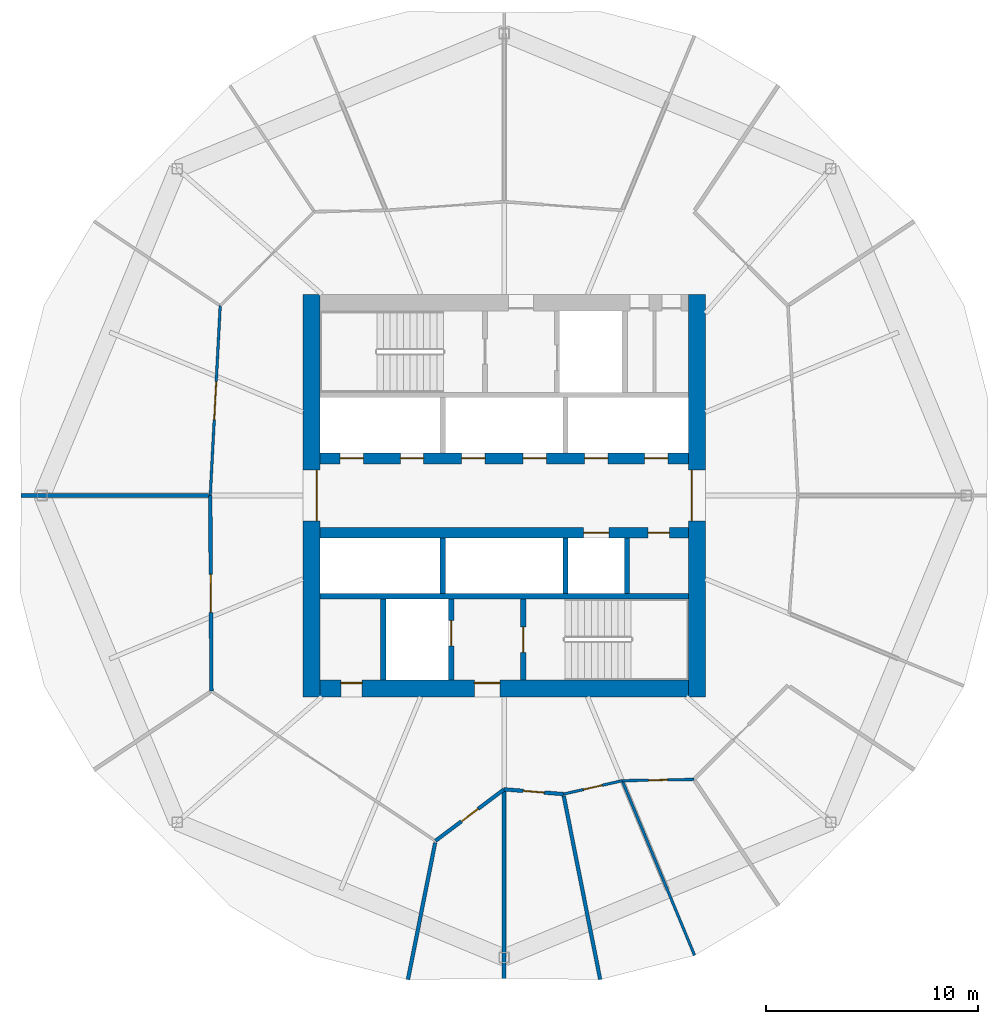
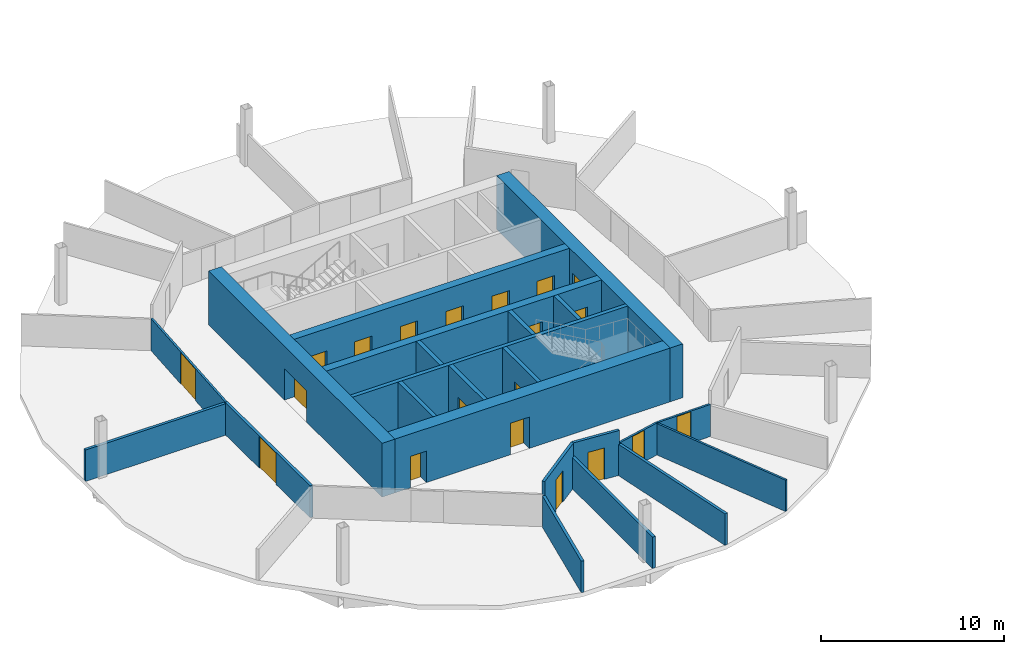
# One storey, part 4 of 9: 23 walls, 20 doors, 20 openings.
"""IFC4 building model written with IfcOpenShell, lengths in metres."""

from ifc_helpers import new_model, si_unit, direction, frame, frame_2d, origin, place, context, subcontext, project, spatial, rectangle, extrude, material, layer, layer_set, type_object, element, fill, save


model = new_model("IFC4")

# Units and contexts
model_context = context("Model", 3, precision=1e-05, world=origin(), true_north=direction((0.0, 1.0)))
body_context = subcontext(model_context, "Body", "Model", "MODEL_VIEW")
ifc_project = project(units=[si_unit("LENGTHUNIT", "METRE"), si_unit("AREAUNIT", "SQUARE_METRE"), si_unit("VOLUMEUNIT", "CUBIC_METRE"), si_unit("PLANEANGLEUNIT", "RADIAN"), si_unit("MASSUNIT", "GRAM", prefix="KILO")], contexts=[model_context])

# Site, building, storey
site_placement = place(None, origin())
site = spatial("IfcSite", under=ifc_project, at=site_placement, CompositionType="ELEMENT")
building_placement = place(site_placement, origin())
building = spatial("IfcBuilding", under=site, at=building_placement, Name="Ogive Gate Towers", CompositionType="ELEMENT")
storey_placement = place(building_placement, frame((0.0, 0.0, 48.0)))
storey = spatial("IfcBuildingStorey", under=building, at=storey_placement, Name="L10", CompositionType="ELEMENT", Elevation=48.0)

# Walls
ifc_material_1 = material(Name="Gypsum board acoustic partition")
ifc_layer_1 = layer(ifc_material_1, 0.175048828125)
ifc_layer_set_1 = layer_set([ifc_layer_1], Name="Acoustic partition 175")
wall_type_1 = type_object("IfcWallType", Name="Acoustic partition 175", PredefinedType="PARTITIONING", material=ifc_layer_set_1)
wall_1_placement = place(storey_placement, frame((-58.799072265625, 0.0, 0.0), z_axis=(0.0, 0.0, 1.0), x_axis=(1.0, 0.0, 0.0)))
element("IfcWall", 1, at=wall_1_placement, inside=storey, type_object=wall_type_1, Name="Partition T1-L10-009", PredefinedType="PARTITIONING", context=body_context, shape_type="SweptSolid", body=[
    extrude(rectangle(XDim=8.841552734375, YDim=0.175048828125, at=frame_2d((4.4208984375, 0.0))), origin(), (0.0, 0.0, 1.0), 2.10009765625),
])
wall_2_placement = place(storey_placement, frame((-40.5380859375, -22.853271484375, 0.0), z_axis=(0.0, 0.0, 1.0), x_axis=(0.194791079336, 0.98084475602, 0.0)))
element("IfcWall", 2, at=wall_2_placement, inside=storey, type_object=wall_type_1, Name="Partition T1-L10-011", PredefinedType="PARTITIONING", context=body_context, shape_type="SweptSolid", body=[
    extrude(rectangle(XDim=6.59130859375, YDim=0.175048828125, at=frame_2d((3.295654296875, 0.0))), origin(), (0.0, 0.0, 1.0), 2.10009765625),
])
for number, where, z_axis, x_axis, name in (
    (3, (-36.0, -22.799072265625, 0.0), (0.0, 0.0, 1.0), (0.0, 1.0, 0.0), "Partition T1-L10-012"),
    (4, (-31.4619140625, -22.853271484375, 0.0), (0.0, 0.0, 1.0), (-0.194783088944, 0.980846342839, 0.0), "Partition T1-L10-013"),
):
    element("IfcWall", number, at=place(storey_placement, frame(where, z_axis=z_axis, x_axis=x_axis)), inside=storey, type_object=wall_type_1, Name=name, PredefinedType="PARTITIONING", context=body_context, shape_type="SweptSolid", body=[
        extrude(rectangle(XDim=8.841552734375, YDim=0.175048828125, at=frame_2d((4.4208984375, 0.0))), origin(), (0.0, 0.0, 1.0), 2.10009765625),
    ])

# Wall, opening, door
wall_3_placement = place(storey_placement, frame((-49.8701171875, 0.0, 0.0), z_axis=(0.0, 0.0, 1.0), x_axis=(0.005813701595, -0.999983100294, 0.0)))
wall_3 = element("IfcWall", 5, at=wall_3_placement, inside=storey, type_object=wall_type_1, Name="Partition T1-L10-023", PredefinedType="PARTITIONING", context=body_context, shape_type="SweptSolid", body=[
    extrude(rectangle(XDim=9.23876953125, YDim=0.175048828125, at=frame_2d((4.619384765625, 0.0))), origin(), (0.0, 0.0, 1.0), 2.139892578125),
])
opening_1_placement = place(wall_3_placement, frame((3.718994140625, 0.0, 0.0)))
opening_1 = element("IfcOpeningElement", 6, at=opening_1_placement, cuts=wall_3, Name="Opening T1-L10-D06", PredefinedType="OPENING", context=body_context, shape_type="SweptSolid", body=[
    extrude(rectangle(XDim=1.800048828125, YDim=2.10009765625, at=frame_2d((0.89990234375, 1.050048828125))), frame((0.0, 0.09765625, 0.0), z_axis=(0.0, -1.0, 0.0), x_axis=(1.0, 0.0, 0.0)), (0.0, 0.0, 1.0), 0.195068359375),
])
ifc_material_2 = material(Name="Timber door", Category="wood")
door_type_1 = type_object("IfcDoorType", Name="Door pair 1800", OperationType="NOTDEFINED", PredefinedType="DOOR", material=ifc_material_2)
door_1_placement = place(opening_1_placement, origin())
door_1 = element("IfcDoor", 7, at=door_1_placement, inside=storey, type_object=door_type_1, Name="Door T1-L10-D06", OperationType="DOUBLE_DOOR_DOUBLE_SWING", OverallHeight=2.10009765625, OverallWidth=1.800048828125, PredefinedType="DOOR", context=body_context, shape_type="SweptSolid", body=[
    extrude(rectangle(XDim=1.800048828125, YDim=2.10009765625, at=frame_2d((0.89990234375, 1.050048828125))), frame((0.0, 0.02490234375, 0.0), z_axis=(0.0, -1.0, 0.0), x_axis=(1.0, 0.0, 0.0)), (0.0, 0.0, 1.0), 0.050048828125),
])
fill(opening_1, door_1)

wall_4_placement = place(storey_placement, frame((-39.2373046875, -16.30224609375, 0.0), z_axis=(0.0, 0.0, 1.0), x_axis=(0.79950772628, 0.600655804616, 0.0)))
wall_4 = element("IfcWall", 8, at=wall_4_placement, inside=storey, type_object=wall_type_1, Name="Partition T1-L10-025", PredefinedType="PARTITIONING", context=body_context, shape_type="SweptSolid", body=[
    extrude(rectangle(XDim=4.049072265625, YDim=0.175048828125, at=frame_2d((2.0244140625, 0.0))), origin(), (0.0, 0.0, 1.0), 3.0),
])
opening_2_placement = place(wall_4_placement, frame((1.52490234375, 0.0, 0.0)))
opening_2 = element("IfcOpeningElement", 9, at=opening_2_placement, cuts=wall_4, Name="Opening T1-L10-D08", PredefinedType="OPENING", context=body_context, shape_type="SweptSolid", body=[
    extrude(rectangle(XDim=1.0, YDim=2.10009765625, at=frame_2d((0.5, 1.050048828125))), frame((0.0, 0.09765625, 0.0), z_axis=(0.0, -1.0, 0.0), x_axis=(1.0, 0.0, 0.0)), (0.0, 0.0, 1.0), 0.195068359375),
])
door_type_2 = type_object("IfcDoorType", Name="Door 1000", OperationType="NOTDEFINED", PredefinedType="DOOR", material=ifc_material_2)
door_2_placement = place(opening_2_placement, origin())
door_2 = element("IfcDoor", 10, at=door_2_placement, inside=storey, type_object=door_type_2, Name="Door T1-L10-D08", OperationType="SINGLE_SWING_RIGHT", OverallHeight=2.10009765625, OverallWidth=1.0, PredefinedType="DOOR", context=body_context, shape_type="SweptSolid", body=[
    extrude(rectangle(XDim=1.0, YDim=2.10009765625, at=frame_2d((0.5, 1.050048828125))), frame((0.0, 0.02490234375, 0.0), z_axis=(0.0, -1.0, 0.0), x_axis=(1.0, 0.0, 0.0)), (0.0, 0.0, 1.0), 0.050048828125),
])
fill(opening_2, door_2)

wall_5_placement = place(storey_placement, frame((-36.0, -13.8701171875, 0.0), z_axis=(0.0, 0.0, 1.0), x_axis=(0.996781460413, -0.080166827155, 0.0)))
wall_5 = element("IfcWall", 11, at=wall_5_placement, inside=storey, type_object=wall_type_1, Name="Partition T1-L10-026", PredefinedType="PARTITIONING", context=body_context, shape_type="SweptSolid", body=[
    extrude(rectangle(XDim=2.807861328125, YDim=0.175048828125, at=frame_2d((1.40380859375, 0.0))), origin(), (0.0, 0.0, 1.0), 3.0),
])
opening_3_placement = place(wall_5_placement, frame((0.904052734375, 0.0, 0.0)))
opening_3 = element("IfcOpeningElement", 12, at=opening_3_placement, cuts=wall_5, Name="Opening T1-L10-D09", PredefinedType="OPENING", context=body_context, shape_type="SweptSolid", body=[
    extrude(rectangle(XDim=1.0, YDim=2.10009765625, at=frame_2d((0.5, 1.050048828125))), frame((0.0, 0.09765625, 0.0), z_axis=(0.0, -1.0, 0.0), x_axis=(1.0, 0.0, 0.0)), (0.0, 0.0, 1.0), 0.195068359375),
])
door_3_placement = place(opening_3_placement, origin())
door_3 = element("IfcDoor", 13, at=door_3_placement, inside=storey, type_object=door_type_2, Name="Door T1-L10-D09", OperationType="SINGLE_SWING_LEFT", OverallHeight=2.10009765625, OverallWidth=1.0, PredefinedType="DOOR", context=body_context, shape_type="SweptSolid", body=[
    extrude(rectangle(XDim=1.0, YDim=2.10009765625, at=frame_2d((0.5, 1.050048828125))), frame((0.0, 0.02490234375, 0.0), z_axis=(0.0, -1.0, 0.0), x_axis=(1.0, 0.0, 0.0)), (0.0, 0.0, 1.0), 0.050048828125),
])
fill(opening_3, door_3)

# Wall, openings, doors
ifc_material_3 = material(Name="Concrete C60/75", Category="concrete")
ifc_layer_2 = layer(ifc_material_3, 0.800048828125)
ifc_layer_set_2 = layer_set([ifc_layer_2], Name="Core wall 800 mm")
wall_type_2 = type_object("IfcWallType", Name="Core wall 800 mm", PredefinedType="SHEAR", material=ifc_layer_set_2)
wall_6_placement = place(storey_placement, frame((-44.699951171875, -9.10009765625, 0.0), z_axis=(0.0, 0.0, 1.0), x_axis=(1.0, 0.0, 0.0)))
wall_6 = element("IfcWall", 14, at=wall_6_placement, inside=storey, type_object=wall_type_2, Name="T1 L10 Core wall 800 mm", PredefinedType="SHEAR", context=body_context, shape_type="SweptSolid", body=[
    extrude(rectangle(XDim=17.39990234375, YDim=0.800048828125, at=frame_2d((8.699951171875, 0.0))), origin(), (0.0, 0.0, 1.0), 3.60009765625),
])
opening_4_placement = place(wall_6_placement, frame((7.300048828125, 0.0, 0.0)))
opening_4 = element("IfcOpeningElement", 15, at=opening_4_placement, cuts=wall_6, Name="Opening KD-T1-L10-16", PredefinedType="OPENING", context=body_context, shape_type="SweptSolid", body=[
    extrude(rectangle(XDim=1.199951171875, YDim=2.10009765625, at=frame_2d((0.60009765625, 1.050048828125))), frame((0.0, 0.41015625, 0.0), z_axis=(0.0, -1.0, 0.0), x_axis=(1.0, 0.0, 0.0)), (0.0, 0.0, 1.0), 0.820068359375),
])
opening_5_placement = place(wall_6_placement, frame((1.0, 0.0, 0.0)))
opening_5 = element("IfcOpeningElement", 16, at=opening_5_placement, cuts=wall_6, Name="Opening KD-T1-L10-19", PredefinedType="OPENING", context=body_context, shape_type="SweptSolid", body=[
    extrude(rectangle(XDim=1.0, YDim=2.10009765625, at=frame_2d((0.5, 1.050048828125))), frame((0.0, 0.41015625, 0.0), z_axis=(0.0, -1.0, 0.0), x_axis=(1.0, 0.0, 0.0)), (0.0, 0.0, 1.0), 0.820068359375),
])
door_type_3 = type_object("IfcDoorType", Name="Accessible WC door 1000 x 2100", OperationType="NOTDEFINED", PredefinedType="DOOR", material=ifc_material_2)
door_4_placement = place(opening_5_placement, origin())
door_4 = element("IfcDoor", 17, at=door_4_placement, inside=storey, type_object=door_type_3, Name="T1 L10 Core door", OperationType="SINGLE_SWING_RIGHT", OverallHeight=2.10009765625, OverallWidth=1.0, PredefinedType="DOOR", context=body_context, shape_type="SweptSolid", body=[
    extrude(rectangle(XDim=1.0, YDim=2.10009765625, at=frame_2d((0.5, 1.050048828125))), frame((0.0, 0.27490234375, 0.0), z_axis=(0.0, -1.0, 0.0), x_axis=(1.0, 0.0, 0.0)), (0.0, 0.0, 1.0), 0.050048828125),
])
fill(opening_5, door_4)
ifc_material_4 = material(Name="Steel fire door", Category="steel")
door_type_4 = type_object("IfcDoorType", Name="Core door FD60S 1200 x 2100", OperationType="NOTDEFINED", PredefinedType="DOOR", material=ifc_material_4)
door_5_placement = place(opening_4_placement, origin())
door_5 = element("IfcDoor", 18, at=door_5_placement, inside=storey, type_object=door_type_4, Name="T1 L10 Fire-fighting lobby door", OperationType="SINGLE_SWING_LEFT", OverallHeight=2.10009765625, OverallWidth=1.199951171875, PredefinedType="DOOR", context=body_context, shape_type="SweptSolid", body=[
    extrude(rectangle(XDim=1.199951171875, YDim=2.10009765625, at=frame_2d((0.60009765625, 1.050048828125))), frame((0.0, 0.27490234375, 0.0), z_axis=(0.0, -1.0, 0.0), x_axis=(1.0, 0.0, 0.0)), (0.0, 0.0, 1.0), 0.050048828125),
])
fill(opening_4, door_5)

# Wall, opening, door
wall_7_placement = place(storey_placement, frame((-45.10009765625, -9.5, 0.0), z_axis=(0.0, 0.0, 1.0), x_axis=(0.0, 1.0, 0.0)))
wall_7 = element("IfcWall", 19, at=wall_7_placement, inside=storey, type_object=wall_type_2, Name="T1 L10 Core wall 800 mm", PredefinedType="SHEAR", context=body_context, shape_type="SweptSolid", body=[
    extrude(rectangle(XDim=19.0, YDim=0.800048828125, at=frame_2d((9.5, 0.0))), origin(), (0.0, 0.0, 1.0), 3.60009765625),
])
opening_6_placement = place(wall_7_placement, frame((8.300048828125, 0.0, 0.0)))
opening_6 = element("IfcOpeningElement", 20, at=opening_6_placement, cuts=wall_7, Name="Opening KD-T1-L10-01", PredefinedType="OPENING", context=body_context, shape_type="SweptSolid", body=[
    extrude(rectangle(XDim=2.39990234375, YDim=2.10009765625, at=frame_2d((1.199951171875, 1.050048828125))), frame((0.0, 0.41015625, 0.0), z_axis=(0.0, -1.0, 0.0), x_axis=(1.0, 0.0, 0.0)), (0.0, 0.0, 1.0), 0.820068359375),
])
door_type_5 = type_object("IfcDoorType", Name="Core double door FD60S 2400 x 2100", OperationType="DOUBLE_DOOR_SINGLE_SWING", PredefinedType="DOOR", material=ifc_material_4)
door_6_placement = place(opening_6_placement, origin())
door_6 = element("IfcDoor", 21, at=door_6_placement, inside=storey, type_object=door_type_5, Name="T1 L10 Core door double", OperationType="DOUBLE_DOOR_SINGLE_SWING", OverallHeight=2.10009765625, OverallWidth=2.39990234375, PredefinedType="DOOR", context=body_context, shape_type="SweptSolid", body=[
    extrude(rectangle(XDim=2.39990234375, YDim=2.10009765625, at=frame_2d((1.199951171875, 1.050048828125))), frame((0.0, -0.22509765625, 0.0), z_axis=(0.0, -1.0, 0.0), x_axis=(1.0, 0.0, 0.0)), (0.0, 0.0, 1.0), 0.050048828125),
])
fill(opening_6, door_6)

wall_8_placement = place(storey_placement, frame((-26.89990234375, -9.5, 0.0), z_axis=(0.0, 0.0, 1.0), x_axis=(0.0, 1.0, 0.0)))
wall_8 = element("IfcWall", 22, at=wall_8_placement, inside=storey, type_object=wall_type_2, Name="T1 L10 Core wall 800 mm", PredefinedType="SHEAR", context=body_context, shape_type="SweptSolid", body=[
    extrude(rectangle(XDim=19.0, YDim=0.800048828125, at=frame_2d((9.5, 0.0))), origin(), (0.0, 0.0, 1.0), 3.60009765625),
])
opening_7_placement = place(wall_8_placement, frame((8.300048828125, 0.0, 0.0)))
opening_7 = element("IfcOpeningElement", 23, at=opening_7_placement, cuts=wall_8, Name="Opening KD-T1-L10-02", PredefinedType="OPENING", context=body_context, shape_type="SweptSolid", body=[
    extrude(rectangle(XDim=2.39990234375, YDim=2.10009765625, at=frame_2d((1.199951171875, 1.050048828125))), frame((0.0, 0.41015625, 0.0), z_axis=(0.0, -1.0, 0.0), x_axis=(1.0, 0.0, 0.0)), (0.0, 0.0, 1.0), 0.820068359375),
])
door_7_placement = place(opening_7_placement, origin())
door_7 = element("IfcDoor", 24, at=door_7_placement, inside=storey, type_object=door_type_5, Name="T1 L10 Core door double", OperationType="DOUBLE_DOOR_SINGLE_SWING", OverallHeight=2.10009765625, OverallWidth=2.39990234375, PredefinedType="DOOR", context=body_context, shape_type="SweptSolid", body=[
    extrude(rectangle(XDim=2.39990234375, YDim=2.10009765625, at=frame_2d((1.199951171875, 1.050048828125))), frame((0.0, 0.27490234375, 0.0), z_axis=(0.0, -1.0, 0.0), x_axis=(1.0, 0.0, 0.0)), (0.0, 0.0, 1.0), 0.050048828125),
])
fill(opening_7, door_7)

# Wall
ifc_material_5 = material(Name="Gypsum board partition")
ifc_layer_3 = layer(ifc_material_5, 0.125)
ifc_layer_set_3 = layer_set([ifc_layer_3], Name="Partition 125")
wall_type_3 = type_object("IfcWallType", Name="Partition 125", PredefinedType="PARTITIONING", material=ifc_layer_set_3)
wall_9_placement = place(storey_placement, frame((-27.007080078125, -21.711181640625, 0.0), z_axis=(0.0, 0.0, 1.0), x_axis=(-0.382657399133, 0.923890315399, 0.0)))
element("IfcWall", 25, at=wall_9_placement, inside=storey, type_object=wall_type_3, Name="Partition T1-L10-014", PredefinedType="PARTITIONING", context=body_context, shape_type="SweptSolid", body=[
    extrude(rectangle(XDim=8.866455078125, YDim=0.125, at=frame_2d((4.43310546875, 0.0))), origin(), (0.0, 0.0, 1.0), 2.10009765625),
])

# Wall, opening, door
wall_10_placement = place(storey_placement, frame((-49.40087890625, 8.960693359375, 0.0), z_axis=(0.0, 0.0, 1.0), x_axis=(-0.052294638748, -0.998631699256, 0.0)))
wall_10 = element("IfcWall", 26, at=wall_10_placement, inside=storey, type_object=wall_type_3, Name="Partition T1-L10-022", PredefinedType="PARTITIONING", context=body_context, shape_type="SweptSolid", body=[
    extrude(rectangle(XDim=8.972900390625, YDim=0.125, at=frame_2d((4.486328125, 0.0))), origin(), (0.0, 0.0, 1.0), 2.139892578125),
])
opening_8_placement = place(wall_10_placement, frame((3.5859375, 0.0, 0.0)))
opening_8 = element("IfcOpeningElement", 27, at=opening_8_placement, cuts=wall_10, Name="Opening T1-L10-D05", PredefinedType="OPENING", context=body_context, shape_type="SweptSolid", body=[
    extrude(rectangle(XDim=1.800048828125, YDim=2.10009765625, at=frame_2d((0.89990234375, 1.050048828125))), frame((0.0, 0.072509765625, 0.0), z_axis=(0.0, -1.0, 0.0), x_axis=(1.0, 0.0, 0.0)), (0.0, 0.0, 1.0), 0.14501953125),
])
door_8_placement = place(opening_8_placement, origin())
door_8 = element("IfcDoor", 28, at=door_8_placement, inside=storey, type_object=door_type_1, Name="Door T1-L10-D05", OperationType="DOUBLE_DOOR_DOUBLE_SWING", OverallHeight=2.10009765625, OverallWidth=1.800048828125, PredefinedType="DOOR", context=body_context, shape_type="SweptSolid", body=[
    extrude(rectangle(XDim=1.800048828125, YDim=2.10009765625, at=frame_2d((0.89990234375, 1.050048828125))), frame((0.0, 0.02490234375, 0.0), z_axis=(0.0, -1.0, 0.0), x_axis=(1.0, 0.0, 0.0)), (0.0, 0.0, 1.0), 0.050048828125),
])
fill(opening_8, door_8)

wall_11_placement = place(storey_placement, frame((-33.201171875, -14.09521484375, 0.0), z_axis=(0.0, 0.0, 1.0), x_axis=(0.974974331621, 0.222317459232, 0.0)))
wall_11 = element("IfcWall", 29, at=wall_11_placement, inside=storey, type_object=wall_type_3, Name="Partition T1-L10-027", PredefinedType="PARTITIONING", context=body_context, shape_type="SweptSolid", body=[
    extrude(rectangle(XDim=2.8486328125, YDim=0.125, at=frame_2d((1.42431640625, 0.0))), origin(), (0.0, 0.0, 1.0), 2.139892578125),
])
opening_9_placement = place(wall_11_placement, frame((0.97412109375, 0.0, 0.0)))
opening_9 = element("IfcOpeningElement", 30, at=opening_9_placement, cuts=wall_11, Name="Opening T1-L10-D10", PredefinedType="OPENING", context=body_context, shape_type="SweptSolid", body=[
    extrude(rectangle(XDim=0.89990234375, YDim=2.10009765625, at=frame_2d((0.449951171875, 1.050048828125))), frame((0.0, 0.072509765625, 0.0), z_axis=(0.0, -1.0, 0.0), x_axis=(1.0, 0.0, 0.0)), (0.0, 0.0, 1.0), 0.14501953125),
])
door_type_6 = type_object("IfcDoorType", Name="Door 900", OperationType="NOTDEFINED", PredefinedType="DOOR", material=ifc_material_2)
door_9_placement = place(opening_9_placement, origin())
door_9 = element("IfcDoor", 31, at=door_9_placement, inside=storey, type_object=door_type_6, Name="Door T1-L10-D10", OperationType="SINGLE_SWING_LEFT", OverallHeight=2.10009765625, OverallWidth=0.89990234375, PredefinedType="DOOR", context=body_context, shape_type="SweptSolid", body=[
    extrude(rectangle(XDim=0.89990234375, YDim=2.10009765625, at=frame_2d((0.449951171875, 1.050048828125))), frame((0.0, 0.02490234375, 0.0), z_axis=(0.0, -1.0, 0.0), x_axis=(1.0, 0.0, 0.0)), (0.0, 0.0, 1.0), 0.050048828125),
])
fill(opening_9, door_9)

wall_12_placement = place(storey_placement, frame((-30.423828125, -13.4619140625, 0.0), z_axis=(0.0, 0.0, 1.0), x_axis=(0.999837434021, 0.018030683006, 0.0)))
wall_12 = element("IfcWall", 32, at=wall_12_placement, inside=storey, type_object=wall_type_3, Name="Partition T1-L10-028", PredefinedType="PARTITIONING", context=body_context, shape_type="SweptSolid", body=[
    extrude(rectangle(XDim=3.385009765625, YDim=0.125, at=frame_2d((1.6923828125, 0.0))), origin(), (0.0, 0.0, 1.0), 2.139892578125),
])
opening_10_placement = place(wall_12_placement, frame((1.242919921875, 0.0, 0.0)))
opening_10 = element("IfcOpeningElement", 33, at=opening_10_placement, cuts=wall_12, Name="Opening T1-L10-D11", PredefinedType="OPENING", context=body_context, shape_type="SweptSolid", body=[
    extrude(rectangle(XDim=0.89990234375, YDim=2.10009765625, at=frame_2d((0.449951171875, 1.050048828125))), frame((0.0, 0.072509765625, 0.0), z_axis=(0.0, -1.0, 0.0), x_axis=(1.0, 0.0, 0.0)), (0.0, 0.0, 1.0), 0.14501953125),
])
door_10_placement = place(opening_10_placement, origin())
door_10 = element("IfcDoor", 34, at=door_10_placement, inside=storey, type_object=door_type_6, Name="Door T1-L10-D11", OperationType="SINGLE_SWING_RIGHT", OverallHeight=2.10009765625, OverallWidth=0.89990234375, PredefinedType="DOOR", context=body_context, shape_type="SweptSolid", body=[
    extrude(rectangle(XDim=0.89990234375, YDim=2.10009765625, at=frame_2d((0.449951171875, 1.050048828125))), frame((0.0, 0.02490234375, 0.0), z_axis=(0.0, -1.0, 0.0), x_axis=(1.0, 0.0, 0.0)), (0.0, 0.0, 1.0), 0.050048828125),
])
fill(opening_10, door_10)

# Walls
ifc_layer_4 = layer(ifc_material_3, 0.25)
ifc_layer_set_4 = layer_set([ifc_layer_4], Name="Shaft wall 250 mm")
wall_type_4 = type_object("IfcWallType", Name="Shaft wall 250 mm", PredefinedType="SHEAR", material=ifc_layer_set_4)
wall_13_placement = place(storey_placement, frame((-44.699951171875, -4.75, 0.0), z_axis=(0.0, 0.0, 1.0), x_axis=(1.0, 0.0, 0.0)))
element("IfcWall", 35, at=wall_13_placement, inside=storey, type_object=wall_type_4, Name="T1 L10 Shaft wall 250 mm", PredefinedType="SHEAR", context=body_context, shape_type="SweptSolid", body=[
    extrude(rectangle(XDim=17.39990234375, YDim=0.25, at=frame_2d((8.699951171875, 0.0))), origin(), (0.0, 0.0, 1.0), 3.60009765625),
])
wall_14_placement = place(storey_placement, frame((-41.699951171875, -8.699951171875, 0.0), z_axis=(0.0, 0.0, 1.0), x_axis=(0.0, 1.0, 0.0)))
element("IfcWall", 36, at=wall_14_placement, inside=storey, type_object=wall_type_4, Name="T1 L10 Shaft wall 250 mm", PredefinedType="SHEAR", context=body_context, shape_type="SweptSolid", body=[
    extrude(rectangle(XDim=3.824951171875, YDim=0.25, at=frame_2d((1.91259765625, 0.0))), origin(), (0.0, 0.0, 1.0), 3.60009765625),
])
wall_15_placement = place(storey_placement, frame((-38.89990234375, -4.625, 0.0), z_axis=(0.0, 0.0, 1.0), x_axis=(0.0, 1.0, 0.0)))
element("IfcWall", 37, at=wall_15_placement, inside=storey, type_object=wall_type_4, Name="T1 L10 Shaft wall 250 mm", PredefinedType="SHEAR", context=body_context, shape_type="SweptSolid", body=[
    extrude(rectangle(XDim=2.625, YDim=0.25, at=frame_2d((1.3125, 0.0))), origin(), (0.0, 0.0, 1.0), 3.60009765625),
])

# Wall, opening, door
wall_16_placement = place(storey_placement, frame((-38.5, -8.699951171875, 0.0), z_axis=(0.0, 0.0, 1.0), x_axis=(0.0, 1.0, 0.0)))
wall_16 = element("IfcWall", 38, at=wall_16_placement, inside=storey, type_object=wall_type_4, Name="T1 L10 Shaft wall 250 mm", PredefinedType="SHEAR", context=body_context, shape_type="SweptSolid", body=[
    extrude(rectangle(XDim=3.824951171875, YDim=0.25, at=frame_2d((1.91259765625, 0.0))), origin(), (0.0, 0.0, 1.0), 3.60009765625),
])
opening_11_placement = place(wall_16_placement, frame((1.60009765625, 0.0, 0.0)))
opening_11 = element("IfcOpeningElement", 39, at=opening_11_placement, cuts=wall_16, Name="Opening LD-T1-L10-11", PredefinedType="OPENING", context=body_context, shape_type="SweptSolid", body=[
    extrude(rectangle(XDim=1.199951171875, YDim=2.10009765625, at=frame_2d((0.60009765625, 1.050048828125))), frame((0.0, 0.135009765625, 0.0), z_axis=(0.0, -1.0, 0.0), x_axis=(1.0, 0.0, 0.0)), (0.0, 0.0, 1.0), 0.27001953125),
])
ifc_material_6 = material(Name="Stainless steel landing door", Category="steel")
door_type_7 = type_object("IfcDoorType", Name="Landing door 1200 x 2100", OperationType="SLIDING_TO_LEFT", PredefinedType="DOOR", material=ifc_material_6)
door_11_placement = place(opening_11_placement, origin())
door_11 = element("IfcDoor", 40, at=door_11_placement, inside=storey, type_object=door_type_7, Name="T1 L10 Lift landing door FF2", OperationType="SLIDING_TO_LEFT", OverallHeight=2.10009765625, OverallWidth=1.199951171875, PredefinedType="DOOR", context=body_context, shape_type="SweptSolid", body=[
    extrude(rectangle(XDim=1.199951171875, YDim=2.10009765625, at=frame_2d((0.60009765625, 1.050048828125))), frame((0.0, 0.02490234375, 0.0), z_axis=(0.0, -1.0, 0.0), x_axis=(1.0, 0.0, 0.0)), (0.0, 0.0, 1.0), 0.050048828125),
])
fill(opening_11, door_11)

wall_17_placement = place(storey_placement, frame((-35.10009765625, -8.699951171875, 0.0), z_axis=(0.0, 0.0, 1.0), x_axis=(0.0, 1.0, 0.0)))
wall_17 = element("IfcWall", 41, at=wall_17_placement, inside=storey, type_object=wall_type_4, Name="T1 L10 Shaft wall 250 mm", PredefinedType="SHEAR", context=body_context, shape_type="SweptSolid", body=[
    extrude(rectangle(XDim=3.824951171875, YDim=0.25, at=frame_2d((1.91259765625, 0.0))), origin(), (0.0, 0.0, 1.0), 3.60009765625),
])
opening_12_placement = place(wall_17_placement, frame((1.300048828125, 0.0, 0.0)))
opening_12 = element("IfcOpeningElement", 42, at=opening_12_placement, cuts=wall_17, Name="Opening KD-T1-L10-14", PredefinedType="OPENING", context=body_context, shape_type="SweptSolid", body=[
    extrude(rectangle(XDim=1.199951171875, YDim=2.10009765625, at=frame_2d((0.60009765625, 1.050048828125))), frame((0.0, 0.135009765625, 0.0), z_axis=(0.0, -1.0, 0.0), x_axis=(1.0, 0.0, 0.0)), (0.0, 0.0, 1.0), 0.27001953125),
])
door_12_placement = place(opening_12_placement, origin())
door_12 = element("IfcDoor", 43, at=door_12_placement, inside=storey, type_object=door_type_4, Name="T1 L10 Stair door", OperationType="SINGLE_SWING_LEFT", OverallHeight=2.10009765625, OverallWidth=1.199951171875, PredefinedType="DOOR", context=body_context, shape_type="SweptSolid", body=[
    extrude(rectangle(XDim=1.199951171875, YDim=2.10009765625, at=frame_2d((0.60009765625, 1.050048828125))), frame((0.0, 0.02490234375, 0.0), z_axis=(0.0, -1.0, 0.0), x_axis=(1.0, 0.0, 0.0)), (0.0, 0.0, 1.0), 0.050048828125),
])
fill(opening_12, door_12)

# Walls
for number, where, z_axis, x_axis, name in (
    (44, (-33.10009765625, -4.625, 0.0), (0.0, 0.0, 1.0), (0.0, 1.0, 0.0), "T1 L10 Shaft wall 250 mm"),
    (45, (-30.199951171875, -4.625, 0.0), (0.0, 0.0, 1.0), (0.0, 1.0, 0.0), "T1 L10 Shaft wall 250 mm"),
):
    element("IfcWall", number, at=place(storey_placement, frame(where, z_axis=z_axis, x_axis=x_axis)), inside=storey, type_object=wall_type_4, Name=name, PredefinedType="SHEAR", context=body_context, shape_type="SweptSolid", body=[
        extrude(rectangle(XDim=2.625, YDim=0.25, at=frame_2d((1.3125, 0.0))), origin(), (0.0, 0.0, 1.0), 3.60009765625),
    ])

# Wall, openings, doors
ifc_layer_5 = layer(ifc_material_3, 0.5)
ifc_layer_set_5 = layer_set([ifc_layer_5], Name="Spine wall 500 mm")
wall_type_5 = type_object("IfcWallType", Name="Spine wall 500 mm", PredefinedType="SHEAR", material=ifc_layer_set_5)
wall_18_placement = place(storey_placement, frame((-44.699951171875, -1.75, 0.0), z_axis=(0.0, 0.0, 1.0), x_axis=(1.0, 0.0, 0.0)))
wall_18 = element("IfcWall", 46, at=wall_18_placement, inside=storey, type_object=wall_type_5, Name="T1 L10 Spine wall 500 mm", PredefinedType="SHEAR", context=body_context, shape_type="SweptSolid", body=[
    extrude(rectangle(XDim=17.39990234375, YDim=0.5, at=frame_2d((8.699951171875, 0.0))), origin(), (0.0, 0.0, 1.0), 3.60009765625),
])
opening_13_placement = place(wall_18_placement, frame((12.449951171875, 0.0, 0.0)))
opening_13 = element("IfcOpeningElement", 47, at=opening_13_placement, cuts=wall_18, Name="Opening LD-T1-L10-09", PredefinedType="OPENING", context=body_context, shape_type="SweptSolid", body=[
    extrude(rectangle(XDim=1.199951171875, YDim=2.10009765625, at=frame_2d((0.60009765625, 1.050048828125))), frame((0.0, 0.260009765625, 0.0), z_axis=(0.0, -1.0, 0.0), x_axis=(1.0, 0.0, 0.0)), (0.0, 0.0, 1.0), 0.52001953125),
])
opening_14_placement = place(wall_18_placement, frame((15.5, 0.0, 0.0)))
opening_14 = element("IfcOpeningElement", 48, at=opening_14_placement, cuts=wall_18, Name="Opening KD-T1-L10-12", PredefinedType="OPENING", context=body_context, shape_type="SweptSolid", body=[
    extrude(rectangle(XDim=1.0, YDim=2.10009765625, at=frame_2d((0.5, 1.050048828125))), frame((0.0, 0.260009765625, 0.0), z_axis=(0.0, -1.0, 0.0), x_axis=(1.0, 0.0, 0.0)), (0.0, 0.0, 1.0), 0.52001953125),
])
door_type_8 = type_object("IfcDoorType", Name="Core door FD60S 1000 x 2100", OperationType="NOTDEFINED", PredefinedType="DOOR", material=ifc_material_4)
door_13_placement = place(opening_14_placement, origin())
door_13 = element("IfcDoor", 49, at=door_13_placement, inside=storey, type_object=door_type_8, Name="T1 L10 Core door", OperationType="SINGLE_SWING_LEFT", OverallHeight=2.10009765625, OverallWidth=1.0, PredefinedType="DOOR", context=body_context, shape_type="SweptSolid", body=[
    extrude(rectangle(XDim=1.0, YDim=2.10009765625, at=frame_2d((0.5, 1.050048828125))), frame((0.0, 0.02490234375, 0.0), z_axis=(0.0, -1.0, 0.0), x_axis=(1.0, 0.0, 0.0)), (0.0, 0.0, 1.0), 0.050048828125),
])
fill(opening_14, door_13)
door_14_placement = place(opening_13_placement, origin())
door_14 = element("IfcDoor", 50, at=door_14_placement, inside=storey, type_object=door_type_7, Name="T1 L10 Lift landing door SVC", OperationType="SLIDING_TO_LEFT", OverallHeight=2.10009765625, OverallWidth=1.199951171875, PredefinedType="DOOR", context=body_context, shape_type="SweptSolid", body=[
    extrude(rectangle(XDim=1.199951171875, YDim=2.10009765625, at=frame_2d((0.60009765625, 1.050048828125))), frame((0.0, 0.02490234375, 0.0), z_axis=(0.0, -1.0, 0.0), x_axis=(1.0, 0.0, 0.0)), (0.0, 0.0, 1.0), 0.050048828125),
])
fill(opening_13, door_14)

wall_19_placement = place(storey_placement, frame((-44.699951171875, 1.75, 0.0), z_axis=(0.0, 0.0, 1.0), x_axis=(1.0, 0.0, 0.0)))
wall_19 = element("IfcWall", 51, at=wall_19_placement, inside=storey, type_object=wall_type_5, Name="T1 L10 Spine wall 500 mm", PredefinedType="SHEAR", context=body_context, shape_type="SweptSolid", body=[
    extrude(rectangle(XDim=17.39990234375, YDim=0.5, at=frame_2d((8.699951171875, 0.0))), origin(), (0.0, 0.0, 1.0), 3.60009765625),
])
opening_15_placement = place(wall_19_placement, frame((0.96240234375, 0.0, 0.0)))
opening_15 = element("IfcOpeningElement", 52, at=opening_15_placement, cuts=wall_19, Name="Opening LD-T1-L10-03", PredefinedType="OPENING", context=body_context, shape_type="SweptSolid", body=[
    extrude(rectangle(XDim=1.10009765625, YDim=2.10009765625, at=frame_2d((0.550048828125, 1.050048828125))), frame((0.0, 0.260009765625, 0.0), z_axis=(0.0, -1.0, 0.0), x_axis=(1.0, 0.0, 0.0)), (0.0, 0.0, 1.0), 0.52001953125),
])
opening_16_placement = place(wall_19_placement, frame((3.800048828125, 0.0, 0.0)))
opening_16 = element("IfcOpeningElement", 53, at=opening_16_placement, cuts=wall_19, Name="Opening LD-T1-L10-04", PredefinedType="OPENING", context=body_context, shape_type="SweptSolid", body=[
    extrude(rectangle(XDim=1.10009765625, YDim=2.10009765625, at=frame_2d((0.550048828125, 1.050048828125))), frame((0.0, 0.260009765625, 0.0), z_axis=(0.0, -1.0, 0.0), x_axis=(1.0, 0.0, 0.0)), (0.0, 0.0, 1.0), 0.52001953125),
])
opening_17_placement = place(wall_19_placement, frame((6.699951171875, 0.0, 0.0)))
opening_17 = element("IfcOpeningElement", 54, at=opening_17_placement, cuts=wall_19, Name="Opening LD-T1-L10-05", PredefinedType="OPENING", context=body_context, shape_type="SweptSolid", body=[
    extrude(rectangle(XDim=1.10009765625, YDim=2.10009765625, at=frame_2d((0.550048828125, 1.050048828125))), frame((0.0, 0.260009765625, 0.0), z_axis=(0.0, -1.0, 0.0), x_axis=(1.0, 0.0, 0.0)), (0.0, 0.0, 1.0), 0.52001953125),
])
opening_18_placement = place(wall_19_placement, frame((9.60009765625, 0.0, 0.0)))
opening_18 = element("IfcOpeningElement", 55, at=opening_18_placement, cuts=wall_19, Name="Opening LD-T1-L10-06", PredefinedType="OPENING", context=body_context, shape_type="SweptSolid", body=[
    extrude(rectangle(XDim=1.10009765625, YDim=2.10009765625, at=frame_2d((0.550048828125, 1.050048828125))), frame((0.0, 0.260009765625, 0.0), z_axis=(0.0, -1.0, 0.0), x_axis=(1.0, 0.0, 0.0)), (0.0, 0.0, 1.0), 0.52001953125),
])
opening_19_placement = place(wall_19_placement, frame((12.5, 0.0, 0.0)))
opening_19 = element("IfcOpeningElement", 56, at=opening_19_placement, cuts=wall_19, Name="Opening LD-T1-L10-07", PredefinedType="OPENING", context=body_context, shape_type="SweptSolid", body=[
    extrude(rectangle(XDim=1.10009765625, YDim=2.10009765625, at=frame_2d((0.550048828125, 1.050048828125))), frame((0.0, 0.260009765625, 0.0), z_axis=(0.0, -1.0, 0.0), x_axis=(1.0, 0.0, 0.0)), (0.0, 0.0, 1.0), 0.52001953125),
])
opening_20_placement = place(wall_19_placement, frame((15.33740234375, 0.0, 0.0)))
opening_20 = element("IfcOpeningElement", 57, at=opening_20_placement, cuts=wall_19, Name="Opening LD-T1-L10-08", PredefinedType="OPENING", context=body_context, shape_type="SweptSolid", body=[
    extrude(rectangle(XDim=1.10009765625, YDim=2.10009765625, at=frame_2d((0.550048828125, 1.050048828125))), frame((0.0, 0.260009765625, 0.0), z_axis=(0.0, -1.0, 0.0), x_axis=(1.0, 0.0, 0.0)), (0.0, 0.0, 1.0), 0.52001953125),
])
door_type_9 = type_object("IfcDoorType", Name="Landing door 1100 x 2100", OperationType="SLIDING_TO_LEFT", PredefinedType="DOOR", material=ifc_material_6)
door_15_placement = place(opening_15_placement, origin())
door_15 = element("IfcDoor", 58, at=door_15_placement, inside=storey, type_object=door_type_9, Name="T1 L10 Lift landing door A1", OperationType="SLIDING_TO_LEFT", OverallHeight=2.10009765625, OverallWidth=1.10009765625, PredefinedType="DOOR", context=body_context, shape_type="SweptSolid", body=[
    extrude(rectangle(XDim=1.10009765625, YDim=2.10009765625, at=frame_2d((0.550048828125, 1.050048828125))), frame((0.0, 0.02490234375, 0.0), z_axis=(0.0, -1.0, 0.0), x_axis=(1.0, 0.0, 0.0)), (0.0, 0.0, 1.0), 0.050048828125),
])
fill(opening_15, door_15)
door_16_placement = place(opening_16_placement, origin())
door_16 = element("IfcDoor", 59, at=door_16_placement, inside=storey, type_object=door_type_9, Name="T1 L10 Lift landing door A2", OperationType="SLIDING_TO_LEFT", OverallHeight=2.10009765625, OverallWidth=1.10009765625, PredefinedType="DOOR", context=body_context, shape_type="SweptSolid", body=[
    extrude(rectangle(XDim=1.10009765625, YDim=2.10009765625, at=frame_2d((0.550048828125, 1.050048828125))), frame((0.0, 0.02490234375, 0.0), z_axis=(0.0, -1.0, 0.0), x_axis=(1.0, 0.0, 0.0)), (0.0, 0.0, 1.0), 0.050048828125),
])
fill(opening_16, door_16)
door_17_placement = place(opening_17_placement, origin())
door_17 = element("IfcDoor", 60, at=door_17_placement, inside=storey, type_object=door_type_9, Name="T1 L10 Lift landing door A3", OperationType="SLIDING_TO_LEFT", OverallHeight=2.10009765625, OverallWidth=1.10009765625, PredefinedType="DOOR", context=body_context, shape_type="SweptSolid", body=[
    extrude(rectangle(XDim=1.10009765625, YDim=2.10009765625, at=frame_2d((0.550048828125, 1.050048828125))), frame((0.0, 0.02490234375, 0.0), z_axis=(0.0, -1.0, 0.0), x_axis=(1.0, 0.0, 0.0)), (0.0, 0.0, 1.0), 0.050048828125),
])
fill(opening_17, door_17)
door_18_placement = place(opening_18_placement, origin())
door_18 = element("IfcDoor", 61, at=door_18_placement, inside=storey, type_object=door_type_9, Name="T1 L10 Lift landing door A4", OperationType="SLIDING_TO_LEFT", OverallHeight=2.10009765625, OverallWidth=1.10009765625, PredefinedType="DOOR", context=body_context, shape_type="SweptSolid", body=[
    extrude(rectangle(XDim=1.10009765625, YDim=2.10009765625, at=frame_2d((0.550048828125, 1.050048828125))), frame((0.0, 0.02490234375, 0.0), z_axis=(0.0, -1.0, 0.0), x_axis=(1.0, 0.0, 0.0)), (0.0, 0.0, 1.0), 0.050048828125),
])
fill(opening_18, door_18)
door_19_placement = place(opening_19_placement, origin())
door_19 = element("IfcDoor", 62, at=door_19_placement, inside=storey, type_object=door_type_9, Name="T1 L10 Lift landing door A5", OperationType="SLIDING_TO_LEFT", OverallHeight=2.10009765625, OverallWidth=1.10009765625, PredefinedType="DOOR", context=body_context, shape_type="SweptSolid", body=[
    extrude(rectangle(XDim=1.10009765625, YDim=2.10009765625, at=frame_2d((0.550048828125, 1.050048828125))), frame((0.0, 0.02490234375, 0.0), z_axis=(0.0, -1.0, 0.0), x_axis=(1.0, 0.0, 0.0)), (0.0, 0.0, 1.0), 0.050048828125),
])
fill(opening_19, door_19)
door_20_placement = place(opening_20_placement, origin())
door_20 = element("IfcDoor", 63, at=door_20_placement, inside=storey, type_object=door_type_9, Name="T1 L10 Lift landing door A6", OperationType="SLIDING_TO_LEFT", OverallHeight=2.10009765625, OverallWidth=1.10009765625, PredefinedType="DOOR", context=body_context, shape_type="SweptSolid", body=[
    extrude(rectangle(XDim=1.10009765625, YDim=2.10009765625, at=frame_2d((0.550048828125, 1.050048828125))), frame((0.0, 0.02490234375, 0.0), z_axis=(0.0, -1.0, 0.0), x_axis=(1.0, 0.0, 0.0)), (0.0, 0.0, 1.0), 0.050048828125),
])
fill(opening_20, door_20)

save(model, "model.ifc")
